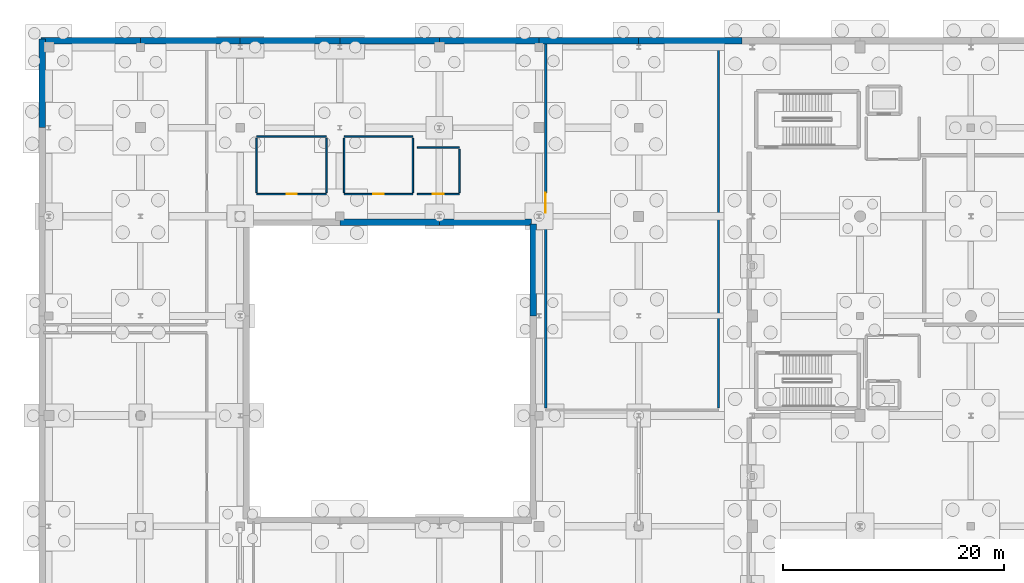
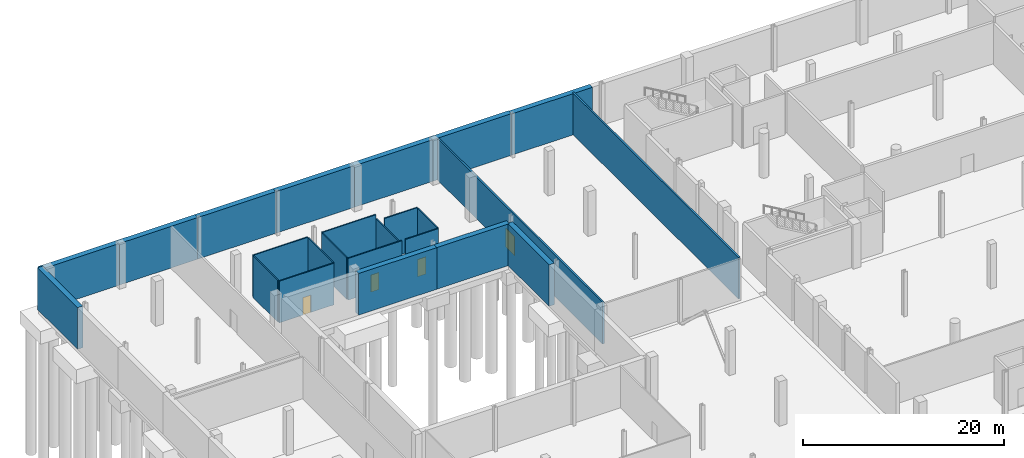
# One storey, part 46 of 60: 24 walls, 4 doors, 4 openings.
"""IFC4 building model written with IfcOpenShell, lengths in metres."""

from ifc_helpers import new_model, si_unit, direction, frame, frame_2d, origin, place, context, subcontext, project, spatial, rectangle, extrude, material, layer, layer_set, type_object, element, fill, save


model = new_model("IFC4")

# Units and contexts
model_context = context("Model", 3, precision=1e-05, world=origin(), true_north=direction((0.0, 1.0)))
body_context = subcontext(model_context, "Body", "Model", "MODEL_VIEW")
ifc_project = project(units=[si_unit("LENGTHUNIT", "METRE"), si_unit("AREAUNIT", "SQUARE_METRE"), si_unit("VOLUMEUNIT", "CUBIC_METRE"), si_unit("PLANEANGLEUNIT", "RADIAN"), si_unit("MASSUNIT", "GRAM", prefix="KILO")], contexts=[model_context])

# Site, building, storey
site_placement = place(None, origin())
site = spatial("IfcSite", under=ifc_project, at=site_placement, CompositionType="ELEMENT")
building_placement = place(site_placement, origin())
building = spatial("IfcBuilding", under=site, at=building_placement, Name="Trimount Lyric Opera House", CompositionType="ELEMENT")
storey_placement = place(building_placement, frame((0.0, 0.0, -5.39990234375)))
storey = spatial("IfcBuildingStorey", under=building, at=storey_placement, Name="B1", CompositionType="ELEMENT", Elevation=-5.39990234375)

# Wall, opening, door
ifc_material_1 = material(Name="Moisture-Resistant Gypsum Board")
ifc_layer_1 = layer(ifc_material_1, 0.135009765625)
ifc_layer_set_1 = layer_set([ifc_layer_1], Name="WL-PT135")
wall_type_1 = type_object("IfcWallType", Name="WL-PT135", PredefinedType="PARTITIONING", material=ifc_layer_set_1)
wall_1_placement = place(storey_placement, frame((19.5, 104.0, 0.0), z_axis=(0.0, 0.0, 1.0), x_axis=(1.0, 0.0, 0.0)))
wall_1 = element("IfcWall", 1, at=wall_1_placement, inside=storey, type_object=wall_type_1, Name="B1 B1 Male Restroom S partition", PredefinedType="PARTITIONING", context=body_context, shape_type="SweptSolid", body=[
    extrude(rectangle(XDim=6.300048828125, YDim=0.135009765625, at=frame_2d((3.14990234375, 0.0))), origin(), (0.0, 0.0, 1.0), 5.0498046875),
])
opening_1_placement = place(wall_1_placement, frame((2.68994140625, 0.0, 0.0)))
opening_1 = element("IfcOpeningElement", 2, at=opening_1_placement, cuts=wall_1, Name="Opening DT-WC1", PredefinedType="OPENING", context=body_context, shape_type="SweptSolid", body=[
    extrude(rectangle(XDim=0.919921875, YDim=2.10009765625, at=frame_2d((0.4599609375, 1.050048828125))), frame((0.0, 0.07763671875, 0.0), z_axis=(0.0, -1.0, 0.0), x_axis=(1.0, 0.0, 0.0)), (0.0, 0.0, 1.0), 0.155029296875),
])
ifc_material_2 = material(Name="Moisture-Resistant Solid-Core Laminate")
door_type_1 = type_object("IfcDoorType", Name="DT-WC1", OperationType="NOTDEFINED", PredefinedType="DOOR", material=ifc_material_2)
door_1_placement = place(opening_1_placement, origin())
door_1 = element("IfcDoor", 3, at=door_1_placement, inside=storey, type_object=door_type_1, Name="D-174", OperationType="SINGLE_SWING_RIGHT", OverallHeight=2.10009765625, OverallWidth=0.919921875, PredefinedType="DOOR", context=body_context, shape_type="SweptSolid", body=[
    extrude(rectangle(XDim=0.919921875, YDim=2.10009765625, at=frame_2d((0.4599609375, 1.050048828125))), frame((0.0, 0.02490234375, 0.0), z_axis=(0.0, -1.0, 0.0), x_axis=(1.0, 0.0, 0.0)), (0.0, 0.0, 1.0), 0.050048828125),
])
fill(opening_1, door_1)

# Walls
wall_2_placement = place(storey_placement, frame((25.800048828125, 109.199951171875, 0.0), z_axis=(0.0, 0.0, 1.0), x_axis=(-1.0, 0.0, 0.0)))
element("IfcWall", 4, at=wall_2_placement, inside=storey, type_object=wall_type_1, Name="B1 B1 Male Restroom N partition", PredefinedType="PARTITIONING", context=body_context, shape_type="SweptSolid", body=[
    extrude(rectangle(XDim=6.300048828125, YDim=0.135009765625, at=frame_2d((3.14990234375, 0.0))), origin(), (0.0, 0.0, 1.0), 5.0498046875),
])
for number, where, z_axis, x_axis, name in (
    (5, (19.5, 109.06494140625, 0.0), (0.0, 0.0, 1.0), (0.0, -1.0, 0.0), "B1 B1 Male Restroom W partition"),
    (6, (25.800048828125, 104.135009765625, 0.0), (0.0, 0.0, 1.0), (0.0, 1.0, 0.0), "B1 B1 Male Restroom E partition"),
):
    element("IfcWall", number, at=place(storey_placement, frame(where, z_axis=z_axis, x_axis=x_axis)), inside=storey, type_object=wall_type_1, Name=name, PredefinedType="PARTITIONING", context=body_context, shape_type="SweptSolid", body=[
        extrude(rectangle(XDim=4.929931640625, YDim=0.135009765625, at=frame_2d((2.46484375, 0.0))), origin(), (0.0, 0.0, 1.0), 5.0498046875),
    ])

# Wall, opening, door
wall_3_placement = place(storey_placement, frame((27.39990234375, 104.0, 0.0), z_axis=(0.0, 0.0, 1.0), x_axis=(1.0, 0.0, 0.0)))
wall_3 = element("IfcWall", 7, at=wall_3_placement, inside=storey, type_object=wall_type_1, Name="B1 B1 Female Restroom S partition", PredefinedType="PARTITIONING", context=body_context, shape_type="SweptSolid", body=[
    extrude(rectangle(XDim=6.2001953125, YDim=0.135009765625, at=frame_2d((3.10009765625, 0.0))), origin(), (0.0, 0.0, 1.0), 5.0498046875),
])
opening_2_placement = place(wall_3_placement, frame((2.639892578125, 0.0, 0.0)))
opening_2 = element("IfcOpeningElement", 8, at=opening_2_placement, cuts=wall_3, Name="Opening DT-WC1", PredefinedType="OPENING", context=body_context, shape_type="SweptSolid", body=[
    extrude(rectangle(XDim=0.919921875, YDim=2.10009765625, at=frame_2d((0.4599609375, 1.050048828125))), frame((0.0, 0.07763671875, 0.0), z_axis=(0.0, -1.0, 0.0), x_axis=(1.0, 0.0, 0.0)), (0.0, 0.0, 1.0), 0.155029296875),
])
door_2_placement = place(opening_2_placement, origin())
door_2 = element("IfcDoor", 9, at=door_2_placement, inside=storey, type_object=door_type_1, Name="D-175", OperationType="SINGLE_SWING_LEFT", OverallHeight=2.10009765625, OverallWidth=0.919921875, PredefinedType="DOOR", context=body_context, shape_type="SweptSolid", body=[
    extrude(rectangle(XDim=0.919921875, YDim=2.10009765625, at=frame_2d((0.4599609375, 1.050048828125))), frame((0.0, 0.02490234375, 0.0), z_axis=(0.0, -1.0, 0.0), x_axis=(1.0, 0.0, 0.0)), (0.0, 0.0, 1.0), 0.050048828125),
])
fill(opening_2, door_2)

# Walls
wall_4_placement = place(storey_placement, frame((33.60009765625, 109.199951171875, 0.0), z_axis=(0.0, 0.0, 1.0), x_axis=(-1.0, 0.0, 0.0)))
element("IfcWall", 10, at=wall_4_placement, inside=storey, type_object=wall_type_1, Name="B1 B1 Female Restroom N partition", PredefinedType="PARTITIONING", context=body_context, shape_type="SweptSolid", body=[
    extrude(rectangle(XDim=6.2001953125, YDim=0.135009765625, at=frame_2d((3.10009765625, 0.0))), origin(), (0.0, 0.0, 1.0), 5.0498046875),
])
wall_5_placement = place(storey_placement, frame((27.39990234375, 109.06494140625, 0.0), z_axis=(0.0, 0.0, 1.0), x_axis=(0.0, -1.0, 0.0)))
element("IfcWall", 11, at=wall_5_placement, inside=storey, type_object=wall_type_1, Name="B1 B1 Female Restroom W partition", PredefinedType="PARTITIONING", context=body_context, shape_type="SweptSolid", body=[
    extrude(rectangle(XDim=4.929931640625, YDim=0.135009765625, at=frame_2d((2.46484375, 0.0))), origin(), (0.0, 0.0, 1.0), 5.0498046875),
])
wall_6_placement = place(storey_placement, frame((33.60009765625, 104.135009765625, 0.0), z_axis=(0.0, 0.0, 1.0), x_axis=(0.0, 1.0, 0.0)))
element("IfcWall", 12, at=wall_6_placement, inside=storey, type_object=wall_type_1, Name="B1 B1 Female Restroom E partition", PredefinedType="PARTITIONING", context=body_context, shape_type="SweptSolid", body=[
    extrude(rectangle(XDim=4.929931640625, YDim=0.135009765625, at=frame_2d((2.46484375, 0.0))), origin(), (0.0, 0.0, 1.0), 4.635986328125),
])

# Wall, opening, door
wall_7_placement = place(storey_placement, frame((34.0, 104.0, 0.0), z_axis=(0.0, 0.0, 1.0), x_axis=(1.0, 0.0, 0.0)))
wall_7 = element("IfcWall", 13, at=wall_7_placement, inside=storey, type_object=wall_type_1, Name="B1 B1 Accessible WC S partition", PredefinedType="PARTITIONING", context=body_context, shape_type="SweptSolid", body=[
    extrude(rectangle(XDim=3.800048828125, YDim=0.135009765625, at=frame_2d((1.89990234375, 0.0))), origin(), (0.0, 0.0, 1.0), 5.0498046875),
])
opening_3_placement = place(wall_7_placement, frame((1.409912109375, 0.0, 0.0)))
opening_3 = element("IfcOpeningElement", 14, at=opening_3_placement, cuts=wall_7, Name="Opening DT-WC2", PredefinedType="OPENING", context=body_context, shape_type="SweptSolid", body=[
    extrude(rectangle(XDim=0.97998046875, YDim=2.10009765625, at=frame_2d((0.489990234375, 1.050048828125))), frame((0.0, 0.07763671875, 0.0), z_axis=(0.0, -1.0, 0.0), x_axis=(1.0, 0.0, 0.0)), (0.0, 0.0, 1.0), 0.155029296875),
])
ifc_material_3 = material(Name="Moisture-Resistant Solid-Core Laminate")
door_type_2 = type_object("IfcDoorType", Name="DT-WC2", OperationType="NOTDEFINED", PredefinedType="DOOR", material=ifc_material_3)
door_3_placement = place(opening_3_placement, origin())
door_3 = element("IfcDoor", 15, at=door_3_placement, inside=storey, type_object=door_type_2, Name="D-176", OperationType="SINGLE_SWING_RIGHT", OverallHeight=2.10009765625, OverallWidth=0.97998046875, PredefinedType="DOOR", context=body_context, shape_type="SweptSolid", body=[
    extrude(rectangle(XDim=0.97998046875, YDim=2.10009765625, at=frame_2d((0.489990234375, 1.050048828125))), frame((0.0, 0.02490234375, 0.0), z_axis=(0.0, -1.0, 0.0), x_axis=(1.0, 0.0, 0.0)), (0.0, 0.0, 1.0), 0.050048828125),
])
fill(opening_3, door_3)

# Walls
wall_8_placement = place(storey_placement, frame((37.800048828125, 108.199951171875, 0.0), z_axis=(0.0, 0.0, 1.0), x_axis=(-1.0, 0.0, 0.0)))
element("IfcWall", 16, at=wall_8_placement, inside=storey, type_object=wall_type_1, Name="B1 B1 Accessible WC N partition", PredefinedType="PARTITIONING", context=body_context, shape_type="SweptSolid", body=[
    extrude(rectangle(XDim=3.800048828125, YDim=0.135009765625, at=frame_2d((1.89990234375, 0.0))), origin(), (0.0, 0.0, 1.0), 5.0498046875),
])
wall_9_placement = place(storey_placement, frame((37.800048828125, 104.135009765625, 0.0), z_axis=(0.0, 0.0, 1.0), x_axis=(0.0, 1.0, 0.0)))
element("IfcWall", 17, at=wall_9_placement, inside=storey, type_object=wall_type_1, Name="B1 B1 Accessible WC E partition", PredefinedType="PARTITIONING", context=body_context, shape_type="SweptSolid", body=[
    extrude(rectangle(XDim=3.929931640625, YDim=0.135009765625, at=frame_2d((1.96484375, 0.0))), origin(), (0.0, 0.0, 1.0), 5.0498046875),
])
ifc_material_4 = material(Name="Concrete C40/50", Category="concrete")
ifc_layer_2 = layer(ifc_material_4, 0.60009765625)
ifc_layer_set_2 = layer_set([ifc_layer_2], Name="WL-RET600")
wall_type_2 = type_object("IfcWallType", Name="WL-RET600", PredefinedType="USERDEFINED", material=ifc_layer_set_2)
wall_10_placement = place(storey_placement, frame((0.139892578125, 110.0, 0.0), z_axis=(0.0, 0.0, 1.0), x_axis=(0.0, 1.0, 0.0)))
element("IfcWall", 18, at=wall_10_placement, inside=storey, type_object=wall_type_2, Name="B1 exterior retaining wall 008", ObjectType="RETAININGWALL", PredefinedType="USERDEFINED", context=body_context, shape_type="SweptSolid", body=[
    extrude(rectangle(XDim=8.0, YDim=0.60009765625, at=frame_2d((4.0, 0.0))), origin(), (0.0, 0.0, 1.0), 5.0498046875),
])
for number, where, z_axis, x_axis, name in (
    (19, (0.0, 117.860107421875, 0.0), (0.0, 0.0, 1.0), (1.0, 0.0, 0.0), "B1 exterior retaining wall 009"),
    (20, (9.0, 117.860107421875, 0.0), (0.0, 0.0, 1.0), (1.0, 0.0, 0.0), "B1 exterior retaining wall 010"),
    (21, (18.0, 117.860107421875, 0.0), (0.0, 0.0, 1.0), (1.0, 0.0, 0.0), "B1 exterior retaining wall 011"),
    (22, (27.0, 117.860107421875, 0.0), (0.0, 0.0, 1.0), (1.0, 0.0, 0.0), "B1 exterior retaining wall 012"),
    (23, (36.0, 117.860107421875, 0.0), (0.0, 0.0, 1.0), (1.0, 0.0, 0.0), "B1 exterior retaining wall 013"),
    (24, (45.0, 117.860107421875, 0.0), (0.0, 0.0, 1.0), (1.0, 0.0, 0.0), "B1 exterior retaining wall 014"),
):
    element("IfcWall", number, at=place(storey_placement, frame(where, z_axis=z_axis, x_axis=x_axis)), inside=storey, type_object=wall_type_2, Name=name, ObjectType="RETAININGWALL", PredefinedType="USERDEFINED", context=body_context, shape_type="SweptSolid", body=[
        extrude(rectangle(XDim=9.0, YDim=0.60009765625, at=frame_2d((4.5, 0.0))), origin(), (0.0, 0.0, 1.0), 5.0498046875),
    ])
wall_11_placement = place(storey_placement, frame((54.0, 117.860107421875, 0.0), z_axis=(0.0, 0.0, 1.0), x_axis=(1.0, 0.0, 0.0)))
element("IfcWall", 25, at=wall_11_placement, inside=storey, type_object=wall_type_2, Name="B1 exterior retaining wall 015", ObjectType="RETAININGWALL", PredefinedType="USERDEFINED", context=body_context, shape_type="SweptSolid", body=[
    extrude(rectangle(XDim=9.320068359375, YDim=0.60009765625, at=frame_2d((4.66015625, 0.0))), origin(), (0.0, 0.0, 1.0), 5.0),
])
for number, where, z_axis, x_axis, name in (
    (26, (44.4599609375, 93.0, 0.0), (0.0, 0.0, 1.0), (0.0, 1.0, 0.0), "B1 exterior retaining wall 075"),
    (27, (44.320068359375, 101.4599609375, 0.0), (0.0, 0.0, 1.0), (-1.0, 0.0, 0.0), "B1 exterior retaining wall 076"),
):
    element("IfcWall", number, at=place(storey_placement, frame(where, z_axis=z_axis, x_axis=x_axis)), inside=storey, type_object=wall_type_2, Name=name, ObjectType="RETAININGWALL", PredefinedType="USERDEFINED", context=body_context, shape_type="SweptSolid", body=[
        extrude(rectangle(XDim=8.320068359375, YDim=0.60009765625, at=frame_2d((4.16015625, 0.0))), origin(), (0.0, 0.0, 1.0), 5.0498046875),
    ])
wall_12_placement = place(storey_placement, frame((36.0, 101.4599609375, 0.0), z_axis=(0.0, 0.0, 1.0), x_axis=(-1.0, 0.0, 0.0)))
element("IfcWall", 28, at=wall_12_placement, inside=storey, type_object=wall_type_2, Name="B1 exterior retaining wall 077", ObjectType="RETAININGWALL", PredefinedType="USERDEFINED", context=body_context, shape_type="SweptSolid", body=[
    extrude(rectangle(XDim=9.0, YDim=0.60009765625, at=frame_2d((4.5, 0.0))), origin(), (0.0, 0.0, 1.0), 5.0498046875),
])

# Wall, opening, door
ifc_material_5 = material(Name="Concrete C35/45", Category="concrete")
ifc_layer_3 = layer(ifc_material_5, 0.199951171875)
ifc_layer_set_3 = layer_set([ifc_layer_3], Name="WL-SW200")
wall_type_3 = type_object("IfcWallType", Name="WL-SW200", PredefinedType="SOLIDWALL", material=ifc_layer_set_3)
wall_13_placement = place(storey_placement, frame((45.60009765625, 117.719970703125, 0.0), z_axis=(0.0, 0.0, 1.0), x_axis=(0.0, -1.0, 0.0)))
wall_13 = element("IfcWall", 29, at=wall_13_placement, inside=storey, type_object=wall_type_3, Name="B1 Primary Electrical Substation W partition", PredefinedType="SOLIDWALL", context=body_context, shape_type="SweptSolid", body=[
    extrude(rectangle(XDim=33.02001953125, YDim=0.199951171875, at=frame_2d((16.510009765625, 0.0))), origin(), (0.0, 0.0, 1.0), 5.0498046875),
])
opening_4_placement = place(wall_13_placement, frame((13.610107421875, 0.0, 0.0)))
opening_4 = element("IfcOpeningElement", 30, at=opening_4_placement, cuts=wall_13, Name="Opening DT-EX3", PredefinedType="OPENING", context=body_context, shape_type="SweptSolid", body=[
    extrude(rectangle(XDim=1.800048828125, YDim=2.300048828125, at=frame_2d((0.89990234375, 1.14990234375))), frame((0.0, 0.10986328125, 0.0), z_axis=(0.0, -1.0, 0.0), x_axis=(1.0, 0.0, 0.0)), (0.0, 0.0, 1.0), 0.219970703125),
])
ifc_material_6 = material(Name="Painted Hollow Steel", Category="steel")
door_type_3 = type_object("IfcDoorType", Name="DT-EX3", OperationType="DOUBLE_DOOR_SINGLE_SWING", PredefinedType="DOOR", material=ifc_material_6)
door_4_placement = place(opening_4_placement, origin())
door_4 = element("IfcDoor", 31, at=door_4_placement, inside=storey, type_object=door_type_3, Name="D-167", OperationType="DOUBLE_DOOR_SINGLE_SWING", OverallHeight=2.300048828125, OverallWidth=1.800048828125, PredefinedType="DOOR", context=body_context, shape_type="SweptSolid", body=[
    extrude(rectangle(XDim=1.800048828125, YDim=2.300048828125, at=frame_2d((0.89990234375, 1.14990234375))), frame((0.0, 0.02490234375, 0.0), z_axis=(0.0, -1.0, 0.0), x_axis=(1.0, 0.0, 0.0)), (0.0, 0.0, 1.0), 0.050048828125),
])
fill(opening_4, door_4)

# Wall
wall_14_placement = place(storey_placement, frame((61.199951171875, 84.699951171875, 0.0), z_axis=(0.0, 0.0, 1.0), x_axis=(0.0, 1.0, 0.0)))
element("IfcWall", 32, at=wall_14_placement, inside=storey, type_object=wall_type_3, Name="B1 Primary Electrical Substation E partition", PredefinedType="SOLIDWALL", context=body_context, shape_type="SweptSolid", body=[
    extrude(rectangle(XDim=33.02001953125, YDim=0.199951171875, at=frame_2d((16.510009765625, 0.0))), origin(), (0.0, 0.0, 1.0), 5.0498046875),
])

save(model, "model.ifc")
